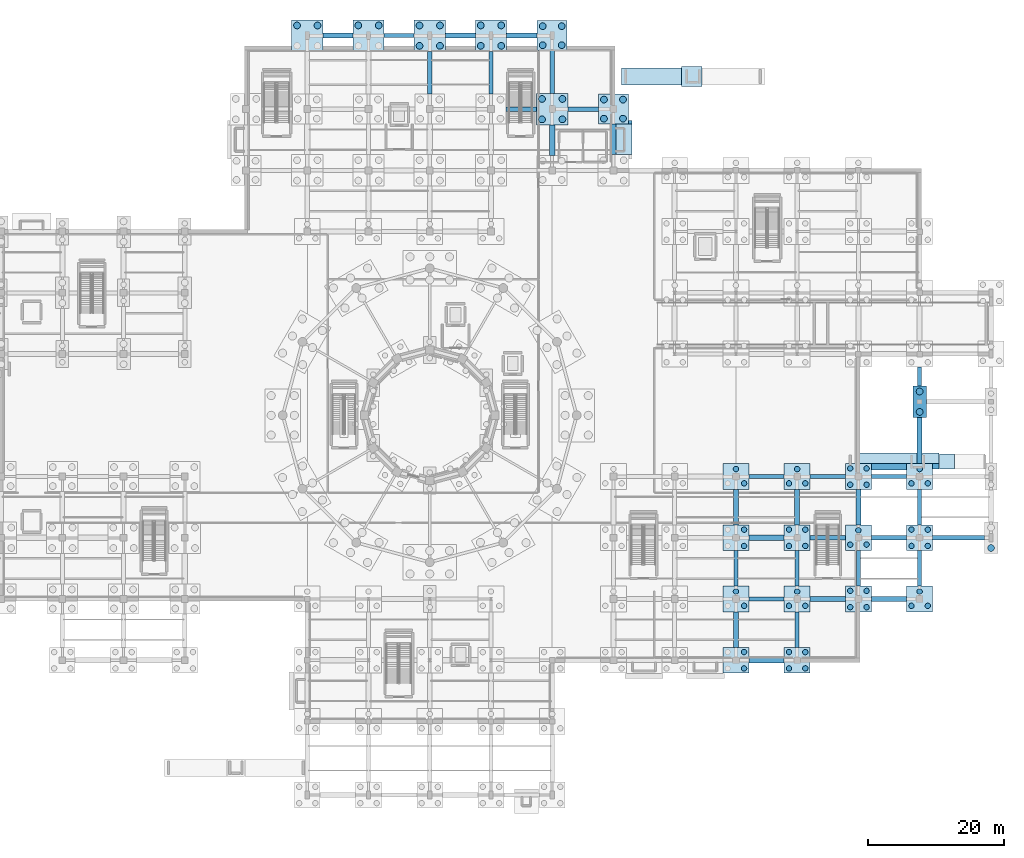
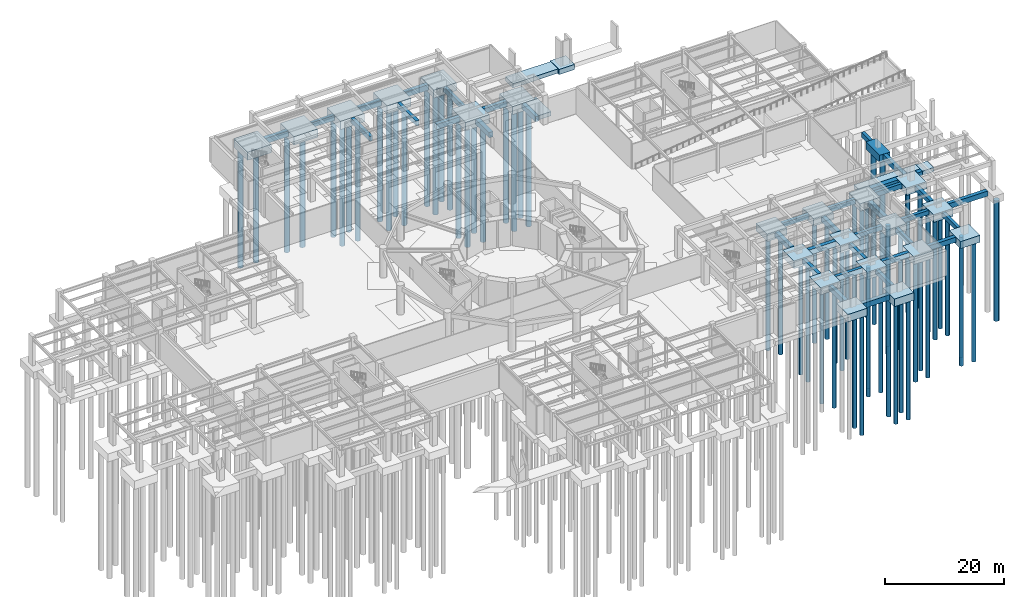
# One storey, part 6 of 36: 70 piles, 65 footings.
"""IFC4 building model written with IfcOpenShell, lengths in metres."""

import ifcopenshell
import ifcopenshell.guid

model = None  # the IFC model being written
_history = None  # IfcOwnerHistory: only IFC2X3 demands one
_inside = {}  # id of a spatial element -> (the spatial element, [elements in it])
_under = {}  # id of a project, library or spatial element -> (it, [spatial elements below it])
_declared = {}  # id of a project -> (the project, [libraries it declares])
_typed = {}  # id of a type object -> (the type object, [elements of that type])
_made_of = {}  # id of a material, layer set ... -> (it, [elements and type objects made of it])


def new_model(schema):
    """Start an empty IFC model of exactly this schema.

    Asked for "IFC4X3", IfcOpenShell would pick the latest addendum, in which some entities
    have other attributes; the version numbers below select the first issue.
    IFC2X3 requires an IfcOwnerHistory on every rooted entity: one is made here for all.
    """
    global model, _history
    if schema == "IFC4X3":
        model = ifcopenshell.file(schema_version=(4, 3, 0, 0))
    else:
        model = ifcopenshell.file(schema=schema)
    _inside.clear()
    _under.clear()
    _declared.clear()
    _typed.clear()
    _made_of.clear()
    _history = None
    if model.schema == "IFC2X3":
        org = make("IfcOrganization", Name="unknown")
        user = make(
            "IfcPersonAndOrganization",
            ThePerson=make("IfcPerson", FamilyName="unknown"),
            TheOrganization=org,
        )
        app = make(
            "IfcApplication",
            ApplicationDeveloper=org,
            Version="unknown",
            ApplicationFullName="unknown",
            ApplicationIdentifier="unknown",
        )
        _history = make(
            "IfcOwnerHistory",
            OwningUser=user,
            OwningApplication=app,
            ChangeAction="ADDED",
            CreationDate=0,
        )
    return model


def make(cls, **values):
    """One entity of the class cls with the attributes given. An attribute that is None is left unset."""
    return model.create_entity(
        cls, **{name: value for name, value in values.items() if value is not None}
    )


def rooted(cls, **values):
    """An entity with a GlobalId (a new one), such as an element, a storey or a relation."""
    return make(cls, GlobalId=ifcopenshell.guid.new(), OwnerHistory=_history, **values)


def si_unit(unit_type, name, prefix=None):
    """IfcSIUnit, for example si_unit("LENGTHUNIT", "METRE", prefix="MILLI")."""
    return make("IfcSIUnit", UnitType=unit_type, Prefix=prefix, Name=name)


def assignment(units):
    """IfcUnitAssignment: the units of a project."""
    return None if units is None else make("IfcUnitAssignment", Units=units)


def point(xyz):
    """IfcCartesianPoint."""
    return None if xyz is None else make("IfcCartesianPoint", Coordinates=xyz)


def direction(xyz):
    """IfcDirection."""
    return None if xyz is None else make("IfcDirection", DirectionRatios=xyz)


def frame(location, z_axis=None, x_axis=None):
    """IfcAxis2Placement3D, a coordinate frame: its origin and axes. An axis left out is left unset."""
    return make(
        "IfcAxis2Placement3D",
        Location=point(location),
        Axis=direction(z_axis),
        RefDirection=direction(x_axis),
    )


def frame_2d(location, x_axis=None):
    """IfcAxis2Placement2D, a coordinate frame in the plane: its origin and x axis."""
    return make(
        "IfcAxis2Placement2D", Location=point(location), RefDirection=direction(x_axis)
    )


def origin():
    """The frame at (0, 0, 0) with its axes left unset."""
    return frame((0.0, 0.0, 0.0))


def origin_2d():
    """The frame at (0, 0) in the plane with its x axis left unset."""
    return frame_2d((0.0, 0.0))


def place(relative_to, where):
    """IfcLocalPlacement: puts the frame where relative to a parent placement (None: the world)."""
    return make(
        "IfcLocalPlacement", PlacementRelTo=relative_to, RelativePlacement=where
    )


def context(
    kind, dimensions, precision=None, world=None, true_north=None, identifier=None
):
    """IfcGeometricRepresentationContext, for example the 3D "Model" context."""
    return make(
        "IfcGeometricRepresentationContext",
        ContextIdentifier=identifier,
        ContextType=kind,
        CoordinateSpaceDimension=dimensions,
        Precision=precision,
        WorldCoordinateSystem=world,
        TrueNorth=true_north,
    )


def subcontext(parent, identifier, kind, view, scale=None):
    """IfcGeometricRepresentationSubContext, for example "Body" below "Model"."""
    return make(
        "IfcGeometricRepresentationSubContext",
        ContextIdentifier=identifier,
        ContextType=kind,
        ParentContext=parent,
        TargetScale=scale,
        TargetView=view,
    )


def project(units=None, contexts=None):
    """IfcProject with its units and contexts."""
    return rooted(
        "IfcProject",
        Name="project",
        RepresentationContexts=contexts,
        UnitsInContext=assignment(units),
    )


def spatial(cls, under=None, at=None, **own):
    """A site, building, storey or space (cls), placed at a placement, below another one or the project."""
    s = rooted(cls, ObjectPlacement=at, **own)
    if under is not None:
        _under.setdefault(under.id(), (under, []))[1].append(s)
    return s


def profile(cls, at=None, kind="AREA", **sizes):
    """A parametric profile (cls). Its sizes go by their IFC names, for example OverallWidth=200.0."""
    return make(cls, ProfileType=kind, Position=at, **sizes)


def rectangle(**sizes):
    """IfcRectangleProfileDef."""
    return profile("IfcRectangleProfileDef", **sizes)


def circle(**sizes):
    """IfcCircleProfileDef."""
    return profile("IfcCircleProfileDef", **sizes)


def extrude(swept, where, along, depth):
    """IfcExtrudedAreaSolid: the profile swept, set in the frame where, extruded along a direction by depth."""
    return make(
        "IfcExtrudedAreaSolid",
        SweptArea=swept,
        Position=where,
        ExtrudedDirection=direction(along),
        Depth=depth,
    )


def shape(context_of_items, identifier, shape_type, items):
    """IfcShapeRepresentation: the items that make up one representation, for example the "Body"."""
    return make(
        "IfcShapeRepresentation",
        ContextOfItems=context_of_items,
        RepresentationIdentifier=identifier,
        RepresentationType=shape_type,
        Items=items,
    )


def material(Name=None, Category=None):
    """IfcMaterial."""
    return make("IfcMaterial", Name=Name, Category=Category)


def material_profile(
    of_material, cross_section, Name=None, Category=None, Priority=None
):
    """IfcMaterialProfile: a cross section and its material."""
    return make(
        "IfcMaterialProfile",
        Name=Name,
        Material=of_material,
        Profile=cross_section,
        Priority=Priority,
        Category=Category,
    )


def profile_set(profiles, Name=None, composite=None):
    """IfcMaterialProfileSet."""
    return make(
        "IfcMaterialProfileSet",
        Name=Name,
        MaterialProfiles=profiles,
        CompositeProfile=composite,
    )


def made_of(thing, what):
    """Note that an element or type object is made of a material, layer set ...; save() writes the relation."""
    if what is not None:
        _made_of.setdefault(what.id(), (what, []))[1].append(thing)
    return thing


def type_object(cls, material=None, **own):
    """A type object (cls), such as IfcWallType, which elements share."""
    return made_of(rooted(cls, **own), material)


def element(
    cls,
    number,
    at=None,
    inside=None,
    cuts=None,
    type_object=None,
    material=None,
    context=None,
    identifier="Body",
    shape_type=None,
    held_by="IfcProductDefinitionShape",
    body=None,
    shapes=None,
    **own,
):
    """One element of the class cls, such as IfcWall. Its Tag is "e" and its number.

    at: its placement. inside: the storey or other place that contains it. cuts: it is an
    opening in that element (IfcRelVoidsElement). A single representation is given by context,
    identifier, shape_type and body (its items); several are given by shapes. held_by: the class
    of the entity that holds the representations. save() writes the other relations.
    """
    e = rooted(cls, Tag="e%d" % number, ObjectPlacement=at, **own)
    if body is not None:
        shapes = [shape(context, identifier, shape_type, body)]
    if shapes is not None:
        e.Representation = make(held_by, Representations=shapes)
    if inside is not None:
        _inside.setdefault(inside.id(), (inside, []))[1].append(e)
    if cuts is not None:
        rooted(
            "IfcRelVoidsElement", RelatingBuildingElement=cuts, RelatedOpeningElement=e
        )
    if type_object is not None:
        _typed.setdefault(type_object.id(), (type_object, []))[1].append(e)
    return made_of(e, material)


def aggregate(whole, parts):
    """IfcRelAggregates: a whole, such as a stair, and the parts it consists of."""
    return rooted("IfcRelAggregates", RelatingObject=whole, RelatedObjects=parts)


def save(model, path):
    """Write the relations noted so far, then the file.

    IfcRelAggregates (storeys below a building ...), IfcRelContainedInSpatialStructure (elements
    in a storey), IfcRelDefinesByType, IfcRelAssociatesMaterial and IfcRelDeclares: one each for
    every whole, place, type object, material and project.
    """
    for whole, parts in _under.values():
        aggregate(whole, parts)
    for where, things in _inside.values():
        rooted(
            "IfcRelContainedInSpatialStructure",
            RelatedElements=things,
            RelatingStructure=where,
        )
    for kind, things in _typed.values():
        rooted("IfcRelDefinesByType", RelatedObjects=things, RelatingType=kind)
    for what, things in _made_of.values():
        rooted("IfcRelAssociatesMaterial", RelatedObjects=things, RelatingMaterial=what)
    for by, libraries in _declared.values():
        rooted("IfcRelDeclares", RelatingContext=by, RelatedDefinitions=libraries)
    model.write(path)


model = new_model("IFC4")

# Units and contexts
model_context = context("Model", 3, precision=1e-05, world=origin(), true_north=direction((0.0, 1.0)))
body_context = subcontext(model_context, "Body", "Model", "MODEL_VIEW")
ifc_project = project(units=[si_unit("LENGTHUNIT", "METRE"), si_unit("AREAUNIT", "SQUARE_METRE"), si_unit("VOLUMEUNIT", "CUBIC_METRE"), si_unit("PLANEANGLEUNIT", "RADIAN"), si_unit("MASSUNIT", "GRAM", prefix="KILO")], contexts=[model_context])

# Site, building, storey
site_placement = place(None, origin())
site = spatial("IfcSite", under=ifc_project, at=site_placement, CompositionType="ELEMENT")
building_placement = place(site_placement, origin())
building = spatial("IfcBuilding", under=site, at=building_placement, Name="Haizhuo Lancet Aquarium", CompositionType="ELEMENT")
storey_placement = place(building_placement, frame((0.0, 0.0, -6.0)))
storey = spatial("IfcBuildingStorey", under=building, at=storey_placement, Name="B1", CompositionType="ELEMENT", Elevation=-6.0)

# Footings
ifc_material = material(Name="Concrete C40/50", Category="concrete")
footing_type_1 = type_object("IfcFootingType", Name="FCAP-PC2B", PredefinedType="PILE_CAP", material=ifc_material)
footing_1_placement = place(storey_placement, frame((72.0, 2.0, -1.5), z_axis=(0.0, 0.0, 1.0), x_axis=(1.0, 0.0, 0.0)))
element("IfcFooting", 1, at=footing_1_placement, inside=storey, type_object=footing_type_1, Name="Pile cap PC-02 150", PredefinedType="PILE_CAP", context=body_context, shape_type="SweptSolid", body=[
    extrude(rectangle(XDim=2.0, YDim=4.60009765625, at=origin_2d()), origin(), (0.0, 0.0, 1.0), 1.5),
])
footing_type_2 = type_object("IfcFootingType", Name="FCAP-PC3A", PredefinedType="PILE_CAP", material=ifc_material)
for number, where, z_axis, x_axis, name in (
    (2, (45.0, -27.0, -1.4501953125), (0.0, 0.0, 1.0), (1.0, 0.0, 0.0), "Pile cap PC-03 51"),
    (3, (45.0, -9.0, -1.4501953125), (0.0, 0.0, 1.0), (1.0, 0.0, 0.0), "Pile cap PC-03 53"),
    (4, (54.0, -27.0, -1.4501953125), (0.0, 0.0, 1.0), (1.0, 0.0, 0.0), "Pile cap PC-03 55"),
    (5, (54.0, -9.0, -1.4501953125), (0.0, 0.0, 1.0), (1.0, 0.0, 0.0), "Pile cap PC-03 57"),
    (6, (63.0, -18.0, -1.4501953125), (0.0, 0.0, 1.0), (1.0, 0.0, 0.0), "Pile cap PC-03 59"),
    (7, (72.0, -27.0, -1.4501953125), (0.0, 0.0, 1.0), (1.0, 0.0, 0.0), "Pile cap PC-03 61"),
    (8, (72.0, -9.0, -1.4501953125), (0.0, 0.0, 1.0), (1.0, 0.0, 0.0), "Pile cap PC-03 63"),
):
    element("IfcFooting", number, at=place(storey_placement, frame(where, z_axis=z_axis, x_axis=x_axis)), inside=storey, type_object=footing_type_2, Name=name, PredefinedType="PILE_CAP", context=body_context, shape_type="SweptSolid", body=[
        extrude(rectangle(XDim=3.800048828125, YDim=3.800048828125, at=origin_2d()), origin(), (0.0, 0.0, 1.0), 1.449951171875),
    ])
footing_type_3 = type_object("IfcFootingType", Name="FCAP-PC4A", PredefinedType="PILE_CAP", material=ifc_material)
for number, where, z_axis, x_axis, name in (
    (9, (45.0, -36.0, -1.5498046875), (0.0, 0.0, 1.0), (1.0, 0.0, 0.0), "Pile cap PC-04 50"),
    (10, (45.0, -18.0, -1.5498046875), (0.0, 0.0, 1.0), (1.0, 0.0, 0.0), "Pile cap PC-04 52"),
    (11, (54.0, -36.0, -1.5498046875), (0.0, 0.0, 1.0), (1.0, 0.0, 0.0), "Pile cap PC-04 54"),
    (12, (54.0, -18.0, -1.5498046875), (0.0, 0.0, 1.0), (1.0, 0.0, 0.0), "Pile cap PC-04 56"),
    (13, (63.0, -27.0, -1.5498046875), (0.0, 0.0, 1.0), (1.0, 0.0, 0.0), "Pile cap PC-04 58"),
    (14, (63.0, -9.0, -1.5498046875), (0.0, 0.0, 1.0), (1.0, 0.0, 0.0), "Pile cap PC-04 60"),
    (15, (72.0, -18.0, -1.5498046875), (0.0, 0.0, 1.0), (1.0, 0.0, 0.0), "Pile cap PC-04 62"),
):
    element("IfcFooting", number, at=place(storey_placement, frame(where, z_axis=z_axis, x_axis=x_axis)), inside=storey, type_object=footing_type_3, Name=name, PredefinedType="PILE_CAP", context=body_context, shape_type="SweptSolid", body=[
        extrude(rectangle(XDim=3.800048828125, YDim=3.800048828125, at=origin_2d()), origin(), (0.0, 0.0, 1.0), 1.550048828125),
    ])
footing_type_4 = type_object("IfcFootingType", Name="FCAP-PC4B", PredefinedType="PILE_CAP", material=ifc_material)
for number, where, z_axis, x_axis, name in (
    (16, (18.0, 55.800048828125, -1.64990234375), (0.0, 0.0, 1.0), (1.0, 0.0, 0.0), "Pile cap PC-05 105"),
    (17, (27.0, 45.0, -1.64990234375), (0.0, 0.0, 1.0), (1.0, 0.0, 0.0), "Pile cap PC-05 107"),
):
    element("IfcFooting", number, at=place(storey_placement, frame(where, z_axis=z_axis, x_axis=x_axis)), inside=storey, type_object=footing_type_4, Name=name, PredefinedType="PILE_CAP", context=body_context, shape_type="SweptSolid", body=[
        extrude(rectangle(XDim=4.39990234375, YDim=4.39990234375, at=origin_2d()), origin(), (0.0, 0.0, 1.0), 1.64990234375),
    ])
footing_type_5 = type_object("IfcFootingType", Name="FCAP-PC4C", PredefinedType="PILE_CAP", material=ifc_material)
for number, where, z_axis, x_axis, name in (
    (18, (-18.0, 55.800048828125, -1.7001953125), (0.0, 0.0, 1.0), (1.0, 0.0, 0.0), "Pile cap PC-06 90"),
    (19, (-9.0, 55.800048828125, -1.7001953125), (0.0, 0.0, 1.0), (1.0, 0.0, 0.0), "Pile cap PC-06 94"),
    (20, (0.0, 55.800048828125, -1.7001953125), (0.0, 0.0, 1.0), (1.0, 0.0, 0.0), "Pile cap PC-06 98"),
    (21, (9.0, 55.800048828125, -1.7001953125), (0.0, 0.0, 1.0), (1.0, 0.0, 0.0), "Pile cap PC-06 102"),
    (22, (18.0, 45.0, -1.7001953125), (0.0, 0.0, 1.0), (1.0, 0.0, 0.0), "Pile cap PC-06 104"),
):
    element("IfcFooting", number, at=place(storey_placement, frame(where, z_axis=z_axis, x_axis=x_axis)), inside=storey, type_object=footing_type_5, Name=name, PredefinedType="PILE_CAP", context=body_context, shape_type="SweptSolid", body=[
        extrude(rectangle(XDim=4.60009765625, YDim=4.60009765625, at=origin_2d()), origin(), (0.0, 0.0, 1.0), 1.699951171875),
    ])
footing_type_6 = type_object("IfcFootingType", Name="FPAD-2200", PredefinedType="PAD_FOOTING", material=ifc_material)
footing_2_placement = place(storey_placement, frame((76.0, -6.800048828125, -0.85009765625), z_axis=(0.0, 0.0, 1.0), x_axis=(1.0, 0.0, 0.0)))
element("IfcFooting", 23, at=footing_2_placement, inside=storey, type_object=footing_type_6, Name="Ramp pad footing 4", PredefinedType="PAD_FOOTING", context=body_context, shape_type="SweptSolid", body=[
    extrude(rectangle(XDim=2.199951171875, YDim=2.199951171875, at=origin_2d()), origin(), (0.0, 0.0, 1.0), 0.85009765625),
])
footing_3_placement = place(storey_placement, frame((67.302978515625, -6.31494140625, -0.85009765625), z_axis=(0.0, 0.0, 1.0), x_axis=(1.0, 0.0, 0.0)))
element("IfcFooting", 24, at=footing_3_placement, inside=storey, type_object=footing_type_6, material=ifc_material, Name="East Avenue Accessible Plinth Ramp RMP-02 mat footing 1", PredefinedType="PAD_FOOTING", context=body_context, shape_type="SweptSolid", body=[
    extrude(rectangle(XDim=8.60498046875, YDim=1.530029296875, at=origin_2d()), origin(), (0.0, 0.0, 1.0), 0.85009765625),
])
footing_4_placement = place(storey_placement, frame((67.5, -7.56494140625, -0.85009765625), z_axis=(0.0, 0.0, 1.0), x_axis=(1.0, 0.0, 0.0)))
element("IfcFooting", 25, at=footing_4_placement, inside=storey, type_object=footing_type_6, material=ifc_material, Name="East Avenue Accessible Plinth Ramp RMP-02 mat footing 2", PredefinedType="PAD_FOOTING", context=body_context, shape_type="SweptSolid", body=[
    extrude(rectangle(XDim=5.159912109375, YDim=0.969970703125, at=origin_2d()), origin(), (0.0, 0.0, 1.0), 0.85009765625),
])
footing_5_placement = place(storey_placement, frame((73.636962890625, -6.31494140625, -0.85009765625), z_axis=(0.0, 0.0, 1.0), x_axis=(1.0, 0.0, 0.0)))
element("IfcFooting", 26, at=footing_5_placement, inside=storey, type_object=footing_type_6, material=ifc_material, Name="East Avenue Accessible Plinth Ramp RMP-02 mat footing 3", PredefinedType="PAD_FOOTING", context=body_context, shape_type="SweptSolid", body=[
    extrude(rectangle(XDim=2.485107421875, YDim=1.530029296875, at=origin_2d()), origin(), (0.0, 0.0, 1.0), 0.85009765625),
])
footing_6_placement = place(storey_placement, frame((74.39990234375, -7.5, -0.85009765625), z_axis=(0.0, 0.0, 1.0), x_axis=(1.0, 0.0, 0.0)))
element("IfcFooting", 27, at=footing_6_placement, inside=storey, type_object=footing_type_6, material=ifc_material, Name="East Avenue Accessible Plinth Ramp RMP-02 mat footing 4", PredefinedType="PAD_FOOTING", context=body_context, shape_type="SweptSolid", body=[
    extrude(rectangle(XDim=0.9599609375, YDim=0.840087890625, at=origin_2d()), origin(), (0.0, 0.0, 1.0), 0.85009765625),
])
footing_7_placement = place(storey_placement, frame((32.590087890625, 49.800048828125, -0.85009765625), z_axis=(0.0, 0.0, 1.0), x_axis=(1.0, 0.0, 0.0)))
element("IfcFooting", 28, at=footing_7_placement, inside=storey, type_object=footing_type_6, material=ifc_material, Name="North Plaza Accessible Plinth Ramp RMP-04 mat footing 1", PredefinedType="PAD_FOOTING", context=body_context, shape_type="SweptSolid", body=[
    extrude(rectangle(XDim=8.780029296875, YDim=2.5, at=origin_2d()), origin(), (0.0, 0.0, 1.0), 0.85009765625),
])
footing_8_placement = place(storey_placement, frame((28.534912109375, 40.550048828125, -0.85009765625), z_axis=(0.0, 0.0, 1.0), x_axis=(1.0, 0.0, 0.0)))
element("IfcFooting", 29, at=footing_8_placement, inside=storey, type_object=footing_type_6, material=ifc_material, Name="Entrance apron footing 5.1", PredefinedType="PAD_FOOTING", context=body_context, shape_type="SweptSolid", body=[
    extrude(rectangle(XDim=2.330078125, YDim=4.4599609375, at=origin_2d()), origin(), (0.0, 0.0, 1.0), 0.85009765625),
])
footing_9_placement = place(storey_placement, frame((29.4599609375, 43.0400390625, -0.85009765625), z_axis=(0.0, 0.0, 1.0), x_axis=(1.0, 0.0, 0.0)))
element("IfcFooting", 30, at=footing_9_placement, inside=storey, type_object=footing_type_6, material=ifc_material, Name="Entrance apron footing 5.2", PredefinedType="PAD_FOOTING", context=body_context, shape_type="SweptSolid", body=[
    extrude(rectangle(XDim=0.47998046875, YDim=0.52001953125, at=origin_2d()), origin(), (0.0, 0.0, 1.0), 0.85009765625),
])
footing_type_7 = type_object("IfcFootingType", Name="FPAD-3000", PredefinedType="PAD_FOOTING", material=ifc_material)
footing_10_placement = place(storey_placement, frame((38.5, 49.800048828125, -1.0498046875), z_axis=(0.0, 0.0, 1.0), x_axis=(1.0, 0.0, 0.0)))
element("IfcFooting", 31, at=footing_10_placement, inside=storey, type_object=footing_type_7, Name="Ramp pad footing 6", PredefinedType="PAD_FOOTING", context=body_context, shape_type="SweptSolid", body=[
    extrude(rectangle(XDim=3.0, YDim=3.0, at=origin_2d()), origin(), (0.0, 0.0, 1.0), 1.050048828125),
])
footing_type_8 = type_object("IfcFootingType", Name="FTB-600x1000", PredefinedType="FOOTING_BEAM", material=ifc_material)
footing_11_placement = place(storey_placement, frame((-4.5, 55.800048828125, -1.0), z_axis=(0.0, 0.0, 1.0), x_axis=(1.0, 0.0, 0.0)))
element("IfcFooting", 32, at=footing_11_placement, inside=storey, type_object=footing_type_8, Name="Foundation tie beam 86", PredefinedType="FOOTING_BEAM", context=body_context, shape_type="SweptSolid", body=[
    extrude(rectangle(XDim=4.39990234375, YDim=0.60009765625, at=origin_2d()), origin(), (0.0, 0.0, 1.0), 1.0),
])
for number, where, z_axis, x_axis, name in (
    (33, (0.0, 50.35009765625, -1.0), (0.0, 0.0, 1.0), (0.0, 1.0, 0.0), "Foundation tie beam 98"),
    (34, (9.0, 50.35009765625, -1.0), (0.0, 0.0, 1.0), (0.0, 1.0, 0.0), "Foundation tie beam 110"),
    (35, (18.0, 50.449951171875, -1.0), (0.0, 0.0, 1.0), (0.0, 1.0, 0.0), "Foundation tie beam 118"),
):
    element("IfcFooting", number, at=place(storey_placement, frame(where, z_axis=z_axis, x_axis=x_axis)), inside=storey, type_object=footing_type_8, Name=name, PredefinedType="FOOTING_BEAM", context=body_context, shape_type="SweptSolid", body=[
        extrude(rectangle(XDim=6.300048828125, YDim=0.60009765625, at=origin_2d()), origin(), (0.0, 0.0, 1.0), 1.0),
    ])
for number, where, z_axis, x_axis, name in (
    (36, (49.5, -27.0, -1.0), (0.0, 0.0, 1.0), (1.0, 0.0, 0.0), "Foundation tie beam 146"),
    (37, (54.0, -22.5, -1.0), (0.0, 0.0, 1.0), (0.0, 1.0, 0.0), "Foundation tie beam 158"),
    (38, (58.5, -9.0, -1.0), (0.0, 0.0, 1.0), (1.0, 0.0, 0.0), "Foundation tie beam 162"),
    (39, (63.0, -22.5, -1.0), (0.0, 0.0, 1.0), (0.0, 1.0, 0.0), "Foundation tie beam 170"),
    (40, (67.5, -9.0, -1.0), (0.0, 0.0, 1.0), (1.0, 0.0, 0.0), "Foundation tie beam 174"),
    (41, (72.0, -13.5, -1.0), (0.0, 0.0, 1.0), (0.0, 1.0, 0.0), "Foundation tie beam 182"),
):
    element("IfcFooting", number, at=place(storey_placement, frame(where, z_axis=z_axis, x_axis=x_axis)), inside=storey, type_object=footing_type_8, Name=name, PredefinedType="FOOTING_BEAM", context=body_context, shape_type="SweptSolid", body=[
        extrude(rectangle(XDim=5.199951171875, YDim=0.60009765625, at=origin_2d()), origin(), (0.0, 0.0, 1.0), 1.0),
    ])
footing_12_placement = place(storey_placement, frame((72.0, 5.699951171875, -1.0), z_axis=(0.0, 0.0, 1.0), x_axis=(0.0, 1.0, 0.0)))
element("IfcFooting", 42, at=footing_12_placement, inside=storey, type_object=footing_type_8, Name="Foundation tie beam 186", PredefinedType="FOOTING_BEAM", context=body_context, shape_type="SweptSolid", body=[
    extrude(rectangle(XDim=2.800048828125, YDim=0.60009765625, at=origin_2d()), origin(), (0.0, 0.0, 1.0), 1.0),
])
footing_type_9 = type_object("IfcFootingType", Name="FTB-600x900", PredefinedType="FOOTING_BEAM", material=ifc_material)
for number, where, z_axis, x_axis, name in (
    (43, (45.0, -22.5, -0.89990234375), (0.0, 0.0, 1.0), (0.0, 1.0, 0.0), "Foundation tie beam 145"),
    (44, (49.5, -9.0, -0.89990234375), (0.0, 0.0, 1.0), (1.0, 0.0, 0.0), "Foundation tie beam 149"),
    (45, (54.0, -31.5, -0.89990234375), (0.0, 0.0, 1.0), (0.0, 1.0, 0.0), "Foundation tie beam 157"),
    (46, (58.5, -18.0, -0.89990234375), (0.0, 0.0, 1.0), (1.0, 0.0, 0.0), "Foundation tie beam 161"),
    (47, (67.5, -18.0, -0.89990234375), (0.0, 0.0, 1.0), (1.0, 0.0, 0.0), "Foundation tie beam 173"),
    (48, (72.0, -22.5, -0.89990234375), (0.0, 0.0, 1.0), (0.0, 1.0, 0.0), "Foundation tie beam 181"),
):
    element("IfcFooting", number, at=place(storey_placement, frame(where, z_axis=z_axis, x_axis=x_axis)), inside=storey, type_object=footing_type_9, Name=name, PredefinedType="FOOTING_BEAM", context=body_context, shape_type="SweptSolid", body=[
        extrude(rectangle(XDim=5.199951171875, YDim=0.60009765625, at=origin_2d()), origin(), (0.0, 0.0, 1.0), 0.89990234375),
    ])
footing_type_10 = type_object("IfcFootingType", Name="FTB-700x1050", PredefinedType="FOOTING_BEAM", material=ifc_material)
for number, where, z_axis, x_axis, name in (
    (49, (13.449951171875, 45.0, -1.0498046875), (0.0, 0.0, 1.0), (1.0, 0.0, 0.0), "Foundation tie beam 111"),
    (50, (22.550048828125, 45.0, -1.0498046875), (0.0, 0.0, 1.0), (1.0, 0.0, 0.0), "Foundation tie beam 119"),
    (51, (27.0, 40.550048828125, -1.0498046875), (0.0, 0.0, 1.0), (0.0, 1.0, 0.0), "Foundation tie beam 127"),
):
    element("IfcFooting", number, at=place(storey_placement, frame(where, z_axis=z_axis, x_axis=x_axis)), inside=storey, type_object=footing_type_10, Name=name, PredefinedType="FOOTING_BEAM", context=body_context, shape_type="SweptSolid", body=[
        extrude(rectangle(XDim=4.5, YDim=0.699951171875, at=origin_2d()), origin(), (0.0, 0.0, 1.0), 1.050048828125),
    ])
for number, where, z_axis, x_axis, name in (
    (52, (45.0, -31.5, -1.0498046875), (0.0, 0.0, 1.0), (0.0, 1.0, 0.0), "Foundation tie beam 143"),
    (53, (45.0, -13.5, -1.0498046875), (0.0, 0.0, 1.0), (0.0, 1.0, 0.0), "Foundation tie beam 147"),
    (54, (58.5, -27.0, -1.0498046875), (0.0, 0.0, 1.0), (1.0, 0.0, 0.0), "Foundation tie beam 159"),
    (55, (67.5, -27.0, -1.0498046875), (0.0, 0.0, 1.0), (1.0, 0.0, 0.0), "Foundation tie beam 171"),
):
    element("IfcFooting", number, at=place(storey_placement, frame(where, z_axis=z_axis, x_axis=x_axis)), inside=storey, type_object=footing_type_10, Name=name, PredefinedType="FOOTING_BEAM", context=body_context, shape_type="SweptSolid", body=[
        extrude(rectangle(XDim=5.199951171875, YDim=0.699951171875, at=origin_2d()), origin(), (0.0, 0.0, 1.0), 1.050048828125),
    ])
footing_13_placement = place(storey_placement, frame((77.699951171875, -18.0, -1.0498046875), z_axis=(0.0, 0.0, 1.0), x_axis=(1.0, 0.0, 0.0)))
element("IfcFooting", 56, at=footing_13_placement, inside=storey, type_object=footing_type_10, Name="Foundation tie beam 183", PredefinedType="FOOTING_BEAM", context=body_context, shape_type="SweptSolid", body=[
    extrude(rectangle(XDim=7.60009765625, YDim=0.699951171875, at=origin_2d()), origin(), (0.0, 0.0, 1.0), 1.050048828125),
])
footing_type_11 = type_object("IfcFootingType", Name="FTB-750x1100", PredefinedType="FOOTING_BEAM", material=ifc_material)
for number, where, z_axis, x_axis, name in (
    (57, (-13.5, 55.800048828125, -1.10009765625), (0.0, 0.0, 1.0), (1.0, 0.0, 0.0), "Foundation tie beam 72"),
    (58, (4.5, 55.800048828125, -1.10009765625), (0.0, 0.0, 1.0), (1.0, 0.0, 0.0), "Foundation tie beam 100"),
):
    element("IfcFooting", number, at=place(storey_placement, frame(where, z_axis=z_axis, x_axis=x_axis)), inside=storey, type_object=footing_type_11, Name=name, PredefinedType="FOOTING_BEAM", context=body_context, shape_type="SweptSolid", body=[
        extrude(rectangle(XDim=4.39990234375, YDim=0.75, at=origin_2d()), origin(), (0.0, 0.0, 1.0), 1.10009765625),
    ])
for number, where, z_axis, x_axis, name in (
    (59, (13.550048828125, 55.800048828125, -1.10009765625), (0.0, 0.0, 1.0), (1.0, 0.0, 0.0), "Foundation tie beam 112"),
    (60, (18.0, 40.449951171875, -1.10009765625), (0.0, 0.0, 1.0), (0.0, 1.0, 0.0), "Foundation tie beam 116"),
):
    element("IfcFooting", number, at=place(storey_placement, frame(where, z_axis=z_axis, x_axis=x_axis)), inside=storey, type_object=footing_type_11, Name=name, PredefinedType="FOOTING_BEAM", context=body_context, shape_type="SweptSolid", body=[
        extrude(rectangle(XDim=4.5, YDim=0.75, at=origin_2d()), origin(), (0.0, 0.0, 1.0), 1.10009765625),
    ])
for number, where, z_axis, x_axis, name in (
    (61, (49.5, -36.0, -1.10009765625), (0.0, 0.0, 1.0), (1.0, 0.0, 0.0), "Foundation tie beam 144"),
    (62, (49.5, -18.0, -1.10009765625), (0.0, 0.0, 1.0), (1.0, 0.0, 0.0), "Foundation tie beam 148"),
    (63, (54.0, -13.5, -1.10009765625), (0.0, 0.0, 1.0), (0.0, 1.0, 0.0), "Foundation tie beam 160"),
    (64, (63.0, -13.5, -1.10009765625), (0.0, 0.0, 1.0), (0.0, 1.0, 0.0), "Foundation tie beam 172"),
):
    element("IfcFooting", number, at=place(storey_placement, frame(where, z_axis=z_axis, x_axis=x_axis)), inside=storey, type_object=footing_type_11, Name=name, PredefinedType="FOOTING_BEAM", context=body_context, shape_type="SweptSolid", body=[
        extrude(rectangle(XDim=5.199951171875, YDim=0.75, at=origin_2d()), origin(), (0.0, 0.0, 1.0), 1.10009765625),
    ])
footing_14_placement = place(storey_placement, frame((72.0, -3.699951171875, -1.10009765625), z_axis=(0.0, 0.0, 1.0), x_axis=(0.0, 1.0, 0.0)))
element("IfcFooting", 65, at=footing_14_placement, inside=storey, type_object=footing_type_11, Name="Foundation tie beam 184", PredefinedType="FOOTING_BEAM", context=body_context, shape_type="SweptSolid", body=[
    extrude(rectangle(XDim=6.800048828125, YDim=0.75, at=origin_2d()), origin(), (0.0, 0.0, 1.0), 1.10009765625),
])

# Piles
ifc_material_profile_1 = material_profile(ifc_material, circle(Radius=0.5, at=origin_2d()), Name="PILE-1000")
ifc_profile_set_1 = profile_set([ifc_material_profile_1], Name="Concrete C40/50")
pile_type_1 = type_object("IfcPileType", Name="PILE-BORED-1000", PredefinedType="BORED", material=ifc_profile_set_1)
pile_placement = place(storey_placement, frame((82.5, -19.5, -1.35009765625), z_axis=(0.0, 0.0, -1.0), x_axis=(1.0, 0.0, 0.0)))
element("IfcPile", 66, at=pile_placement, inside=storey, type_object=pile_type_1, Name="Bored pile P-02 64.1", PredefinedType="BORED", context=body_context, shape_type="SweptSolid", body=[
    extrude(circle(Radius=0.5, at=origin_2d()), origin(), (0.0, 0.0, 1.0), 24.64990234375),
])
for number, where, z_axis, x_axis, name in (
    (67, (-19.5, 57.300048828125, -1.550048828125), (0.0, 0.0, -1.0), (1.0, 0.0, 0.0), "Bored pile P-02 90.3"),
    (68, (-16.5, 57.300048828125, -1.550048828125), (0.0, 0.0, -1.0), (1.0, 0.0, 0.0), "Bored pile P-02 90.4"),
    (69, (-10.5, 57.300048828125, -1.550048828125), (0.0, 0.0, -1.0), (1.0, 0.0, 0.0), "Bored pile P-02 94.3"),
    (70, (-7.5, 57.300048828125, -1.550048828125), (0.0, 0.0, -1.0), (1.0, 0.0, 0.0), "Bored pile P-02 94.4"),
    (71, (-1.5, 54.300048828125, -1.550048828125), (0.0, 0.0, -1.0), (1.0, 0.0, 0.0), "Bored pile P-02 98.1"),
    (72, (1.5, 54.300048828125, -1.550048828125), (0.0, 0.0, -1.0), (1.0, 0.0, 0.0), "Bored pile P-02 98.2"),
    (73, (-1.5, 57.300048828125, -1.550048828125), (0.0, 0.0, -1.0), (1.0, 0.0, 0.0), "Bored pile P-02 98.3"),
    (74, (1.5, 57.300048828125, -1.550048828125), (0.0, 0.0, -1.0), (1.0, 0.0, 0.0), "Bored pile P-02 98.4"),
    (75, (7.5, 54.300048828125, -1.550048828125), (0.0, 0.0, -1.0), (1.0, 0.0, 0.0), "Bored pile P-02 102.1"),
    (76, (10.5, 54.300048828125, -1.550048828125), (0.0, 0.0, -1.0), (1.0, 0.0, 0.0), "Bored pile P-02 102.2"),
    (77, (7.5, 57.300048828125, -1.550048828125), (0.0, 0.0, -1.0), (1.0, 0.0, 0.0), "Bored pile P-02 102.3"),
    (78, (10.5, 57.300048828125, -1.550048828125), (0.0, 0.0, -1.0), (1.0, 0.0, 0.0), "Bored pile P-02 102.4"),
    (79, (16.5, 43.5, -1.550048828125), (0.0, 0.0, -1.0), (1.0, 0.0, 0.0), "Bored pile P-02 104.1"),
    (80, (19.5, 43.5, -1.550048828125), (0.0, 0.0, -1.0), (1.0, 0.0, 0.0), "Bored pile P-02 104.2"),
    (81, (16.5, 46.5, -1.550048828125), (0.0, 0.0, -1.0), (1.0, 0.0, 0.0), "Bored pile P-02 104.3"),
    (82, (19.5, 46.5, -1.550048828125), (0.0, 0.0, -1.0), (1.0, 0.0, 0.0), "Bored pile P-02 104.4"),
):
    element("IfcPile", number, at=place(storey_placement, frame(where, z_axis=z_axis, x_axis=x_axis)), inside=storey, type_object=pile_type_1, Name=name, PredefinedType="BORED", context=body_context, shape_type="SweptSolid", body=[
        extrude(circle(Radius=0.5, at=origin_2d()), origin(), (0.0, 0.0, 1.0), 24.449951171875),
    ])
for number, where, z_axis, x_axis, name in (
    (83, (16.60009765625, 54.39990234375, -1.5), (0.0, 0.0, -1.0), (1.0, 0.0, 0.0), "Bored pile P-02 105.1"),
    (84, (19.39990234375, 54.39990234375, -1.5), (0.0, 0.0, -1.0), (1.0, 0.0, 0.0), "Bored pile P-02 105.2"),
    (85, (16.60009765625, 57.199951171875, -1.5), (0.0, 0.0, -1.0), (1.0, 0.0, 0.0), "Bored pile P-02 105.3"),
    (86, (19.39990234375, 57.199951171875, -1.5), (0.0, 0.0, -1.0), (1.0, 0.0, 0.0), "Bored pile P-02 105.4"),
    (87, (25.60009765625, 43.60009765625, -1.5), (0.0, 0.0, -1.0), (1.0, 0.0, 0.0), "Bored pile P-02 107.1"),
    (88, (28.39990234375, 43.60009765625, -1.5), (0.0, 0.0, -1.0), (1.0, 0.0, 0.0), "Bored pile P-02 107.2"),
    (89, (25.60009765625, 46.39990234375, -1.5), (0.0, 0.0, -1.0), (1.0, 0.0, 0.0), "Bored pile P-02 107.3"),
    (90, (28.39990234375, 46.39990234375, -1.5), (0.0, 0.0, -1.0), (1.0, 0.0, 0.0), "Bored pile P-02 107.4"),
):
    element("IfcPile", number, at=place(storey_placement, frame(where, z_axis=z_axis, x_axis=x_axis)), inside=storey, type_object=pile_type_1, Name=name, PredefinedType="BORED", context=body_context, shape_type="SweptSolid", body=[
        extrude(circle(Radius=0.5, at=origin_2d()), origin(), (0.0, 0.0, 1.0), 24.5),
    ])
for number, where, z_axis, x_axis, name in (
    (91, (72.0, 0.5, -1.35009765625), (0.0, 0.0, -1.0), (1.0, 0.0, 0.0), "Bored pile P-02 150.1"),
    (92, (72.0, 3.5, -1.35009765625), (0.0, 0.0, -1.0), (1.0, 0.0, 0.0), "Bored pile P-02 150.2"),
):
    element("IfcPile", number, at=place(storey_placement, frame(where, z_axis=z_axis, x_axis=x_axis)), inside=storey, type_object=pile_type_1, Name=name, PredefinedType="BORED", context=body_context, shape_type="SweptSolid", body=[
        extrude(circle(Radius=0.5, at=origin_2d()), origin(), (0.0, 0.0, 1.0), 24.64990234375),
    ])
ifc_material_profile_2 = material_profile(ifc_material, circle(Radius=0.39990234375, at=origin_2d()), Name="PILE-800")
ifc_profile_set_2 = profile_set([ifc_material_profile_2], Name="Concrete C40/50")
pile_type_2 = type_object("IfcPileType", Name="PILE-BORED-800", PredefinedType="BORED", material=ifc_profile_set_2)
for number, where, z_axis, x_axis, name in (
    (93, (46.199951171875, -37.199951171875, -1.39990234375), (0.0, 0.0, -1.0), (1.0, 0.0, 0.0), "Bored pile P-01 50.2"),
    (94, (46.199951171875, -34.800048828125, -1.39990234375), (0.0, 0.0, -1.0), (1.0, 0.0, 0.0), "Bored pile P-01 50.4"),
):
    element("IfcPile", number, at=place(storey_placement, frame(where, z_axis=z_axis, x_axis=x_axis)), inside=storey, type_object=pile_type_2, Name=name, PredefinedType="BORED", context=body_context, shape_type="SweptSolid", body=[
        extrude(circle(Radius=0.39990234375, at=origin_2d()), origin(), (0.0, 0.0, 1.0), 24.60009765625),
    ])
for number, where, z_axis, x_axis, name in (
    (95, (46.199951171875, -28.0, -1.300048828125), (0.0, 0.0, -1.0), (1.0, 0.0, 0.0), "Bored pile P-01 51.2"),
    (96, (45.0, -25.89990234375, -1.300048828125), (0.0, 0.0, -1.0), (1.0, 0.0, 0.0), "Bored pile P-01 51.3"),
):
    element("IfcPile", number, at=place(storey_placement, frame(where, z_axis=z_axis, x_axis=x_axis)), inside=storey, type_object=pile_type_2, Name=name, PredefinedType="BORED", context=body_context, shape_type="SweptSolid", body=[
        extrude(circle(Radius=0.39990234375, at=origin_2d()), origin(), (0.0, 0.0, 1.0), 24.699951171875),
    ])
for number, where, z_axis, x_axis, name in (
    (97, (46.199951171875, -19.199951171875, -1.39990234375), (0.0, 0.0, -1.0), (1.0, 0.0, 0.0), "Bored pile P-01 52.2"),
    (98, (46.199951171875, -16.800048828125, -1.39990234375), (0.0, 0.0, -1.0), (1.0, 0.0, 0.0), "Bored pile P-01 52.4"),
):
    element("IfcPile", number, at=place(storey_placement, frame(where, z_axis=z_axis, x_axis=x_axis)), inside=storey, type_object=pile_type_2, Name=name, PredefinedType="BORED", context=body_context, shape_type="SweptSolid", body=[
        extrude(circle(Radius=0.39990234375, at=origin_2d()), origin(), (0.0, 0.0, 1.0), 24.60009765625),
    ])
for number, where, z_axis, x_axis, name in (
    (99, (46.199951171875, -10.0, -1.300048828125), (0.0, 0.0, -1.0), (1.0, 0.0, 0.0), "Bored pile P-01 53.2"),
    (100, (45.0, -7.89990234375, -1.300048828125), (0.0, 0.0, -1.0), (1.0, 0.0, 0.0), "Bored pile P-01 53.3"),
):
    element("IfcPile", number, at=place(storey_placement, frame(where, z_axis=z_axis, x_axis=x_axis)), inside=storey, type_object=pile_type_2, Name=name, PredefinedType="BORED", context=body_context, shape_type="SweptSolid", body=[
        extrude(circle(Radius=0.39990234375, at=origin_2d()), origin(), (0.0, 0.0, 1.0), 24.699951171875),
    ])
for number, where, z_axis, x_axis, name in (
    (101, (52.800048828125, -37.199951171875, -1.39990234375), (0.0, 0.0, -1.0), (1.0, 0.0, 0.0), "Bored pile P-01 54.1"),
    (102, (55.199951171875, -37.199951171875, -1.39990234375), (0.0, 0.0, -1.0), (1.0, 0.0, 0.0), "Bored pile P-01 54.2"),
    (103, (52.800048828125, -34.800048828125, -1.39990234375), (0.0, 0.0, -1.0), (1.0, 0.0, 0.0), "Bored pile P-01 54.3"),
    (104, (55.199951171875, -34.800048828125, -1.39990234375), (0.0, 0.0, -1.0), (1.0, 0.0, 0.0), "Bored pile P-01 54.4"),
):
    element("IfcPile", number, at=place(storey_placement, frame(where, z_axis=z_axis, x_axis=x_axis)), inside=storey, type_object=pile_type_2, Name=name, PredefinedType="BORED", context=body_context, shape_type="SweptSolid", body=[
        extrude(circle(Radius=0.39990234375, at=origin_2d()), origin(), (0.0, 0.0, 1.0), 24.60009765625),
    ])
for number, where, z_axis, x_axis, name in (
    (105, (52.800048828125, -28.0, -1.300048828125), (0.0, 0.0, -1.0), (1.0, 0.0, 0.0), "Bored pile P-01 55.1"),
    (106, (55.199951171875, -28.0, -1.300048828125), (0.0, 0.0, -1.0), (1.0, 0.0, 0.0), "Bored pile P-01 55.2"),
    (107, (54.0, -25.89990234375, -1.300048828125), (0.0, 0.0, -1.0), (1.0, 0.0, 0.0), "Bored pile P-01 55.3"),
):
    element("IfcPile", number, at=place(storey_placement, frame(where, z_axis=z_axis, x_axis=x_axis)), inside=storey, type_object=pile_type_2, Name=name, PredefinedType="BORED", context=body_context, shape_type="SweptSolid", body=[
        extrude(circle(Radius=0.39990234375, at=origin_2d()), origin(), (0.0, 0.0, 1.0), 24.699951171875),
    ])
for number, where, z_axis, x_axis, name in (
    (108, (52.800048828125, -19.199951171875, -1.39990234375), (0.0, 0.0, -1.0), (1.0, 0.0, 0.0), "Bored pile P-01 56.1"),
    (109, (55.199951171875, -19.199951171875, -1.39990234375), (0.0, 0.0, -1.0), (1.0, 0.0, 0.0), "Bored pile P-01 56.2"),
    (110, (52.800048828125, -16.800048828125, -1.39990234375), (0.0, 0.0, -1.0), (1.0, 0.0, 0.0), "Bored pile P-01 56.3"),
    (111, (55.199951171875, -16.800048828125, -1.39990234375), (0.0, 0.0, -1.0), (1.0, 0.0, 0.0), "Bored pile P-01 56.4"),
):
    element("IfcPile", number, at=place(storey_placement, frame(where, z_axis=z_axis, x_axis=x_axis)), inside=storey, type_object=pile_type_2, Name=name, PredefinedType="BORED", context=body_context, shape_type="SweptSolid", body=[
        extrude(circle(Radius=0.39990234375, at=origin_2d()), origin(), (0.0, 0.0, 1.0), 24.60009765625),
    ])
for number, where, z_axis, x_axis, name in (
    (112, (52.800048828125, -10.0, -1.300048828125), (0.0, 0.0, -1.0), (1.0, 0.0, 0.0), "Bored pile P-01 57.1"),
    (113, (55.199951171875, -10.0, -1.300048828125), (0.0, 0.0, -1.0), (1.0, 0.0, 0.0), "Bored pile P-01 57.2"),
    (114, (54.0, -7.89990234375, -1.300048828125), (0.0, 0.0, -1.0), (1.0, 0.0, 0.0), "Bored pile P-01 57.3"),
):
    element("IfcPile", number, at=place(storey_placement, frame(where, z_axis=z_axis, x_axis=x_axis)), inside=storey, type_object=pile_type_2, Name=name, PredefinedType="BORED", context=body_context, shape_type="SweptSolid", body=[
        extrude(circle(Radius=0.39990234375, at=origin_2d()), origin(), (0.0, 0.0, 1.0), 24.699951171875),
    ])
for number, where, z_axis, x_axis, name in (
    (115, (61.800048828125, -28.199951171875, -1.39990234375), (0.0, 0.0, -1.0), (1.0, 0.0, 0.0), "Bored pile P-01 58.1"),
    (116, (64.199951171875, -28.199951171875, -1.39990234375), (0.0, 0.0, -1.0), (1.0, 0.0, 0.0), "Bored pile P-01 58.2"),
    (117, (61.800048828125, -25.800048828125, -1.39990234375), (0.0, 0.0, -1.0), (1.0, 0.0, 0.0), "Bored pile P-01 58.3"),
    (118, (64.199951171875, -25.800048828125, -1.39990234375), (0.0, 0.0, -1.0), (1.0, 0.0, 0.0), "Bored pile P-01 58.4"),
):
    element("IfcPile", number, at=place(storey_placement, frame(where, z_axis=z_axis, x_axis=x_axis)), inside=storey, type_object=pile_type_2, Name=name, PredefinedType="BORED", context=body_context, shape_type="SweptSolid", body=[
        extrude(circle(Radius=0.39990234375, at=origin_2d()), origin(), (0.0, 0.0, 1.0), 24.60009765625),
    ])
for number, where, z_axis, x_axis, name in (
    (119, (61.800048828125, -19.0, -1.300048828125), (0.0, 0.0, -1.0), (1.0, 0.0, 0.0), "Bored pile P-01 59.1"),
    (120, (64.199951171875, -19.0, -1.300048828125), (0.0, 0.0, -1.0), (1.0, 0.0, 0.0), "Bored pile P-01 59.2"),
    (121, (63.0, -16.89990234375, -1.300048828125), (0.0, 0.0, -1.0), (1.0, 0.0, 0.0), "Bored pile P-01 59.3"),
):
    element("IfcPile", number, at=place(storey_placement, frame(where, z_axis=z_axis, x_axis=x_axis)), inside=storey, type_object=pile_type_2, Name=name, PredefinedType="BORED", context=body_context, shape_type="SweptSolid", body=[
        extrude(circle(Radius=0.39990234375, at=origin_2d()), origin(), (0.0, 0.0, 1.0), 24.699951171875),
    ])
for number, where, z_axis, x_axis, name in (
    (122, (61.800048828125, -10.199951171875, -1.39990234375), (0.0, 0.0, -1.0), (1.0, 0.0, 0.0), "Bored pile P-01 60.1"),
    (123, (64.199951171875, -10.199951171875, -1.39990234375), (0.0, 0.0, -1.0), (1.0, 0.0, 0.0), "Bored pile P-01 60.2"),
    (124, (61.800048828125, -7.800048828125, -1.39990234375), (0.0, 0.0, -1.0), (1.0, 0.0, 0.0), "Bored pile P-01 60.3"),
    (125, (64.199951171875, -7.800048828125, -1.39990234375), (0.0, 0.0, -1.0), (1.0, 0.0, 0.0), "Bored pile P-01 60.4"),
):
    element("IfcPile", number, at=place(storey_placement, frame(where, z_axis=z_axis, x_axis=x_axis)), inside=storey, type_object=pile_type_2, Name=name, PredefinedType="BORED", context=body_context, shape_type="SweptSolid", body=[
        extrude(circle(Radius=0.39990234375, at=origin_2d()), origin(), (0.0, 0.0, 1.0), 24.60009765625),
    ])
for number, where, z_axis, x_axis, name in (
    (126, (70.800048828125, -28.0, -1.300048828125), (0.0, 0.0, -1.0), (1.0, 0.0, 0.0), "Bored pile P-01 61.1"),
    (127, (73.199951171875, -28.0, -1.300048828125), (0.0, 0.0, -1.0), (1.0, 0.0, 0.0), "Bored pile P-01 61.2"),
    (128, (72.0, -25.89990234375, -1.300048828125), (0.0, 0.0, -1.0), (1.0, 0.0, 0.0), "Bored pile P-01 61.3"),
):
    element("IfcPile", number, at=place(storey_placement, frame(where, z_axis=z_axis, x_axis=x_axis)), inside=storey, type_object=pile_type_2, Name=name, PredefinedType="BORED", context=body_context, shape_type="SweptSolid", body=[
        extrude(circle(Radius=0.39990234375, at=origin_2d()), origin(), (0.0, 0.0, 1.0), 24.699951171875),
    ])
for number, where, z_axis, x_axis, name in (
    (129, (70.800048828125, -19.199951171875, -1.39990234375), (0.0, 0.0, -1.0), (1.0, 0.0, 0.0), "Bored pile P-01 62.1"),
    (130, (73.199951171875, -19.199951171875, -1.39990234375), (0.0, 0.0, -1.0), (1.0, 0.0, 0.0), "Bored pile P-01 62.2"),
    (131, (70.800048828125, -16.800048828125, -1.39990234375), (0.0, 0.0, -1.0), (1.0, 0.0, 0.0), "Bored pile P-01 62.3"),
    (132, (73.199951171875, -16.800048828125, -1.39990234375), (0.0, 0.0, -1.0), (1.0, 0.0, 0.0), "Bored pile P-01 62.4"),
):
    element("IfcPile", number, at=place(storey_placement, frame(where, z_axis=z_axis, x_axis=x_axis)), inside=storey, type_object=pile_type_2, Name=name, PredefinedType="BORED", context=body_context, shape_type="SweptSolid", body=[
        extrude(circle(Radius=0.39990234375, at=origin_2d()), origin(), (0.0, 0.0, 1.0), 24.60009765625),
    ])
for number, where, z_axis, x_axis, name in (
    (133, (70.800048828125, -10.0, -1.300048828125), (0.0, 0.0, -1.0), (1.0, 0.0, 0.0), "Bored pile P-01 63.1"),
    (134, (73.199951171875, -10.0, -1.300048828125), (0.0, 0.0, -1.0), (1.0, 0.0, 0.0), "Bored pile P-01 63.2"),
    (135, (72.0, -7.89990234375, -1.300048828125), (0.0, 0.0, -1.0), (1.0, 0.0, 0.0), "Bored pile P-01 63.3"),
):
    element("IfcPile", number, at=place(storey_placement, frame(where, z_axis=z_axis, x_axis=x_axis)), inside=storey, type_object=pile_type_2, Name=name, PredefinedType="BORED", context=body_context, shape_type="SweptSolid", body=[
        extrude(circle(Radius=0.39990234375, at=origin_2d()), origin(), (0.0, 0.0, 1.0), 24.699951171875),
    ])

save(model, "model.ifc")
